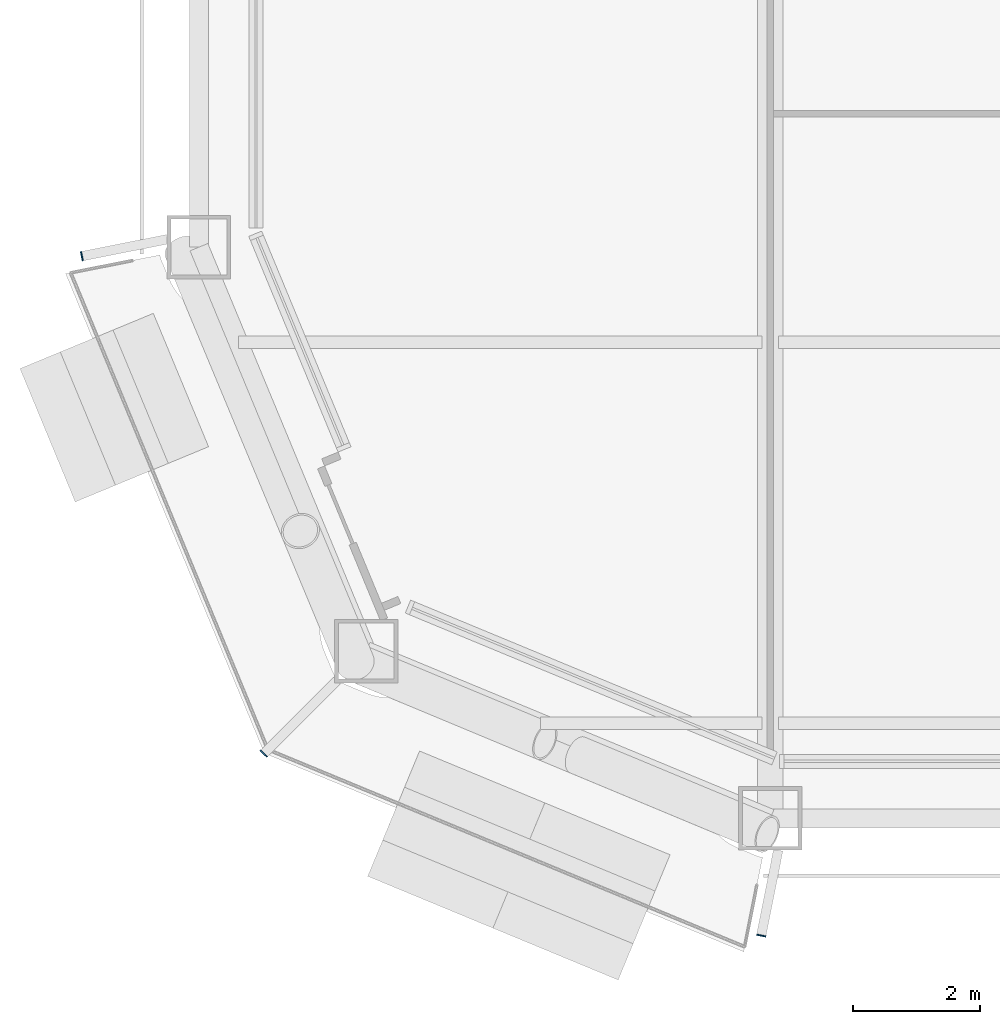
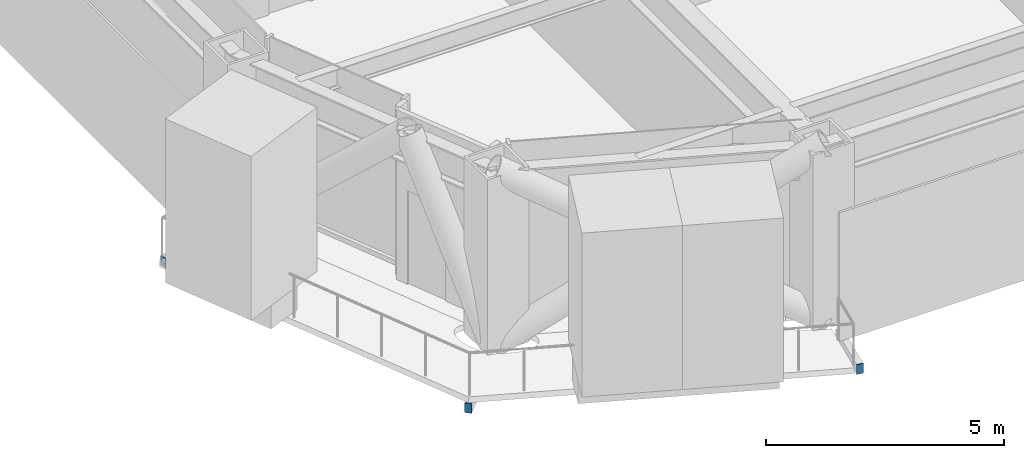
# One storey, part 18 of 27: 3 discrete accessories.
"""IFC4 building model written with IfcOpenShell, lengths in metres."""

import ifcopenshell
import ifcopenshell.guid

model = None  # the IFC model being written
_history = None  # IfcOwnerHistory: only IFC2X3 demands one
_inside = {}  # id of a spatial element -> (the spatial element, [elements in it])
_under = {}  # id of a project, library or spatial element -> (it, [spatial elements below it])
_declared = {}  # id of a project -> (the project, [libraries it declares])
_typed = {}  # id of a type object -> (the type object, [elements of that type])
_made_of = {}  # id of a material, layer set ... -> (it, [elements and type objects made of it])


def new_model(schema):
    """Start an empty IFC model of exactly this schema.

    Asked for "IFC4X3", IfcOpenShell would pick the latest addendum, in which some entities
    have other attributes; the version numbers below select the first issue.
    IFC2X3 requires an IfcOwnerHistory on every rooted entity: one is made here for all.
    """
    global model, _history
    if schema == "IFC4X3":
        model = ifcopenshell.file(schema_version=(4, 3, 0, 0))
    else:
        model = ifcopenshell.file(schema=schema)
    _inside.clear()
    _under.clear()
    _declared.clear()
    _typed.clear()
    _made_of.clear()
    _history = None
    if model.schema == "IFC2X3":
        org = make("IfcOrganization", Name="unknown")
        user = make(
            "IfcPersonAndOrganization",
            ThePerson=make("IfcPerson", FamilyName="unknown"),
            TheOrganization=org,
        )
        app = make(
            "IfcApplication",
            ApplicationDeveloper=org,
            Version="unknown",
            ApplicationFullName="unknown",
            ApplicationIdentifier="unknown",
        )
        _history = make(
            "IfcOwnerHistory",
            OwningUser=user,
            OwningApplication=app,
            ChangeAction="ADDED",
            CreationDate=0,
        )
    return model


def make(cls, **values):
    """One entity of the class cls with the attributes given. An attribute that is None is left unset."""
    return model.create_entity(
        cls, **{name: value for name, value in values.items() if value is not None}
    )


def rooted(cls, **values):
    """An entity with a GlobalId (a new one), such as an element, a storey or a relation."""
    return make(cls, GlobalId=ifcopenshell.guid.new(), OwnerHistory=_history, **values)


def si_unit(unit_type, name, prefix=None):
    """IfcSIUnit, for example si_unit("LENGTHUNIT", "METRE", prefix="MILLI")."""
    return make("IfcSIUnit", UnitType=unit_type, Prefix=prefix, Name=name)


def assignment(units):
    """IfcUnitAssignment: the units of a project."""
    return None if units is None else make("IfcUnitAssignment", Units=units)


def point(xyz):
    """IfcCartesianPoint."""
    return None if xyz is None else make("IfcCartesianPoint", Coordinates=xyz)


def direction(xyz):
    """IfcDirection."""
    return None if xyz is None else make("IfcDirection", DirectionRatios=xyz)


def frame(location, z_axis=None, x_axis=None):
    """IfcAxis2Placement3D, a coordinate frame: its origin and axes. An axis left out is left unset."""
    return make(
        "IfcAxis2Placement3D",
        Location=point(location),
        Axis=direction(z_axis),
        RefDirection=direction(x_axis),
    )


def frame_2d(location, x_axis=None):
    """IfcAxis2Placement2D, a coordinate frame in the plane: its origin and x axis."""
    return make(
        "IfcAxis2Placement2D", Location=point(location), RefDirection=direction(x_axis)
    )


def origin():
    """The frame at (0, 0, 0) with its axes left unset."""
    return frame((0.0, 0.0, 0.0))


def origin_2d():
    """The frame at (0, 0) in the plane with its x axis left unset."""
    return frame_2d((0.0, 0.0))


def place(relative_to, where):
    """IfcLocalPlacement: puts the frame where relative to a parent placement (None: the world)."""
    return make(
        "IfcLocalPlacement", PlacementRelTo=relative_to, RelativePlacement=where
    )


def context(
    kind, dimensions, precision=None, world=None, true_north=None, identifier=None
):
    """IfcGeometricRepresentationContext, for example the 3D "Model" context."""
    return make(
        "IfcGeometricRepresentationContext",
        ContextIdentifier=identifier,
        ContextType=kind,
        CoordinateSpaceDimension=dimensions,
        Precision=precision,
        WorldCoordinateSystem=world,
        TrueNorth=true_north,
    )


def subcontext(parent, identifier, kind, view, scale=None):
    """IfcGeometricRepresentationSubContext, for example "Body" below "Model"."""
    return make(
        "IfcGeometricRepresentationSubContext",
        ContextIdentifier=identifier,
        ContextType=kind,
        ParentContext=parent,
        TargetScale=scale,
        TargetView=view,
    )


def project(units=None, contexts=None):
    """IfcProject with its units and contexts."""
    return rooted(
        "IfcProject",
        Name="project",
        RepresentationContexts=contexts,
        UnitsInContext=assignment(units),
    )


def spatial(cls, under=None, at=None, **own):
    """A site, building, storey or space (cls), placed at a placement, below another one or the project."""
    s = rooted(cls, ObjectPlacement=at, **own)
    if under is not None:
        _under.setdefault(under.id(), (under, []))[1].append(s)
    return s


def profile(cls, at=None, kind="AREA", **sizes):
    """A parametric profile (cls). Its sizes go by their IFC names, for example OverallWidth=200.0."""
    return make(cls, ProfileType=kind, Position=at, **sizes)


def rectangle(**sizes):
    """IfcRectangleProfileDef."""
    return profile("IfcRectangleProfileDef", **sizes)


def extrude(swept, where, along, depth):
    """IfcExtrudedAreaSolid: the profile swept, set in the frame where, extruded along a direction by depth."""
    return make(
        "IfcExtrudedAreaSolid",
        SweptArea=swept,
        Position=where,
        ExtrudedDirection=direction(along),
        Depth=depth,
    )


def shape(context_of_items, identifier, shape_type, items):
    """IfcShapeRepresentation: the items that make up one representation, for example the "Body"."""
    return make(
        "IfcShapeRepresentation",
        ContextOfItems=context_of_items,
        RepresentationIdentifier=identifier,
        RepresentationType=shape_type,
        Items=items,
    )


def material(Name=None, Category=None):
    """IfcMaterial."""
    return make("IfcMaterial", Name=Name, Category=Category)


def layer(
    of_material, thickness, ventilated=None, Name=None, Category=None, Priority=None
):
    """IfcMaterialLayer: one layer of a wall or slab, of a material (None: an air gap)."""
    return make(
        "IfcMaterialLayer",
        Material=of_material,
        LayerThickness=thickness,
        IsVentilated=ventilated,
        Name=Name,
        Category=Category,
        Priority=Priority,
    )


def layer_set(layers, Name=None):
    """IfcMaterialLayerSet."""
    return make("IfcMaterialLayerSet", MaterialLayers=layers, LayerSetName=Name)


def made_of(thing, what):
    """Note that an element or type object is made of a material, layer set ...; save() writes the relation."""
    if what is not None:
        _made_of.setdefault(what.id(), (what, []))[1].append(thing)
    return thing


def type_object(cls, material=None, **own):
    """A type object (cls), such as IfcWallType, which elements share."""
    return made_of(rooted(cls, **own), material)


def element(
    cls,
    number,
    at=None,
    inside=None,
    cuts=None,
    type_object=None,
    material=None,
    context=None,
    identifier="Body",
    shape_type=None,
    held_by="IfcProductDefinitionShape",
    body=None,
    shapes=None,
    **own,
):
    """One element of the class cls, such as IfcWall. Its Tag is "e" and its number.

    at: its placement. inside: the storey or other place that contains it. cuts: it is an
    opening in that element (IfcRelVoidsElement). A single representation is given by context,
    identifier, shape_type and body (its items); several are given by shapes. held_by: the class
    of the entity that holds the representations. save() writes the other relations.
    """
    e = rooted(cls, Tag="e%d" % number, ObjectPlacement=at, **own)
    if body is not None:
        shapes = [shape(context, identifier, shape_type, body)]
    if shapes is not None:
        e.Representation = make(held_by, Representations=shapes)
    if inside is not None:
        _inside.setdefault(inside.id(), (inside, []))[1].append(e)
    if cuts is not None:
        rooted(
            "IfcRelVoidsElement", RelatingBuildingElement=cuts, RelatedOpeningElement=e
        )
    if type_object is not None:
        _typed.setdefault(type_object.id(), (type_object, []))[1].append(e)
    return made_of(e, material)


def aggregate(whole, parts):
    """IfcRelAggregates: a whole, such as a stair, and the parts it consists of."""
    return rooted("IfcRelAggregates", RelatingObject=whole, RelatedObjects=parts)


def save(model, path):
    """Write the relations noted so far, then the file.

    IfcRelAggregates (storeys below a building ...), IfcRelContainedInSpatialStructure (elements
    in a storey), IfcRelDefinesByType, IfcRelAssociatesMaterial and IfcRelDeclares: one each for
    every whole, place, type object, material and project.
    """
    for whole, parts in _under.values():
        aggregate(whole, parts)
    for where, things in _inside.values():
        rooted(
            "IfcRelContainedInSpatialStructure",
            RelatedElements=things,
            RelatingStructure=where,
        )
    for kind, things in _typed.values():
        rooted("IfcRelDefinesByType", RelatedObjects=things, RelatingType=kind)
    for what, things in _made_of.values():
        rooted("IfcRelAssociatesMaterial", RelatedObjects=things, RelatingMaterial=what)
    for by, libraries in _declared.values():
        rooted("IfcRelDeclares", RelatingContext=by, RelatedDefinitions=libraries)
    model.write(path)


model = new_model("IFC4")

# Units and contexts
model_context = context("Model", 3, precision=1e-05, world=origin(), true_north=direction((0.0, 1.0)))
body_context = subcontext(model_context, "Body", "Model", "MODEL_VIEW")
ifc_project = project(units=[si_unit("LENGTHUNIT", "METRE"), si_unit("AREAUNIT", "SQUARE_METRE"), si_unit("VOLUMEUNIT", "CUBIC_METRE"), si_unit("PLANEANGLEUNIT", "RADIAN"), si_unit("MASSUNIT", "GRAM", prefix="KILO")], contexts=[model_context])

# Site, building, storey
site_placement = place(None, origin())
site = spatial("IfcSite", under=ifc_project, at=site_placement, CompositionType="ELEMENT")
building_placement = place(site_placement, origin())
building = spatial("IfcBuilding", under=site, at=building_placement, Name="Siwar Civic Tower", CompositionType="ELEMENT")
storey_placement = place(building_placement, frame((0.0, 0.0, 71.699951171875)))
storey = spatial("IfcBuildingStorey", under=building, at=storey_placement, Name="L15", CompositionType="ELEMENT", Elevation=71.699951171875)

# Discrete accessories
ifc_material = material(Name="Steel S355", Category="steel")
ifc_layer = layer(ifc_material, 0.02001953125)
ifc_layer_set = layer_set([ifc_layer], Name="Steel S355")
discrete_accessory_type = type_object("IfcDiscreteAccessoryType", Name="STR-END-CAP", PredefinedType="USERDEFINED", material=ifc_layer_set)
for number, where, z_axis, x_axis, name in (
    (1, (-33.3447265625, -22.642578125, -0.39990234375), (0.0, 0.0, 1.0), (-0.980785280383, -0.195090322119, 0.0), "End cap plate Balcony cantilever beam SW 1"),
    (2, (-30.478271484375, -30.478271484375, -0.39990234375), (0.0, 0.0, 1.0), (-0.707106781187, -0.707106781187, 0.0), "End cap plate Balcony cantilever beam SW 2"),
    (3, (-22.642578125, -33.3447265625, -0.39990234375), (0.0, 0.0, 1.0), (-0.195090322119, -0.980785280383, 0.0), "End cap plate Balcony cantilever beam SW 3"),
):
    element("IfcDiscreteAccessory", number, at=place(storey_placement, frame(where, z_axis=z_axis, x_axis=x_axis)), inside=storey, type_object=discrete_accessory_type, Name=name, ObjectType="END CAP PLATE", PredefinedType="USERDEFINED", context=body_context, shape_type="SweptSolid", body=[
        extrude(rectangle(XDim=0.02001953125, YDim=0.14990234375, at=origin_2d()), origin(), (0.0, 0.0, 1.0), 0.25),
    ])

save(model, "model.ifc")
